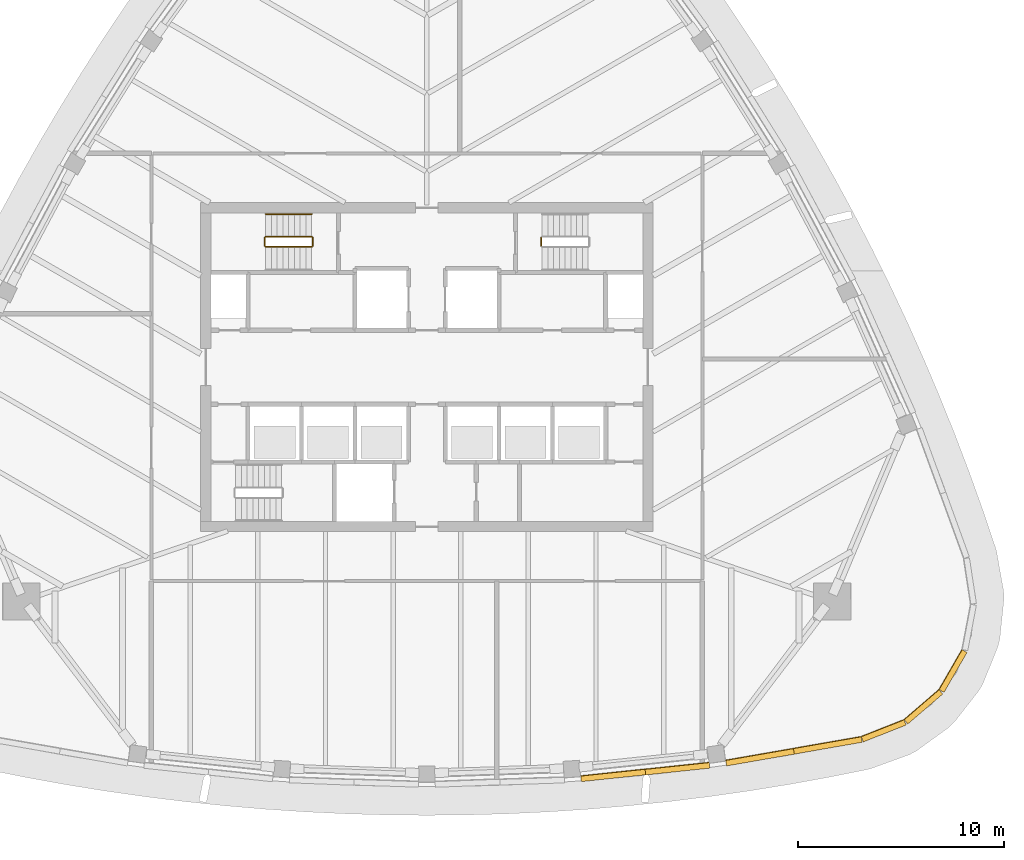
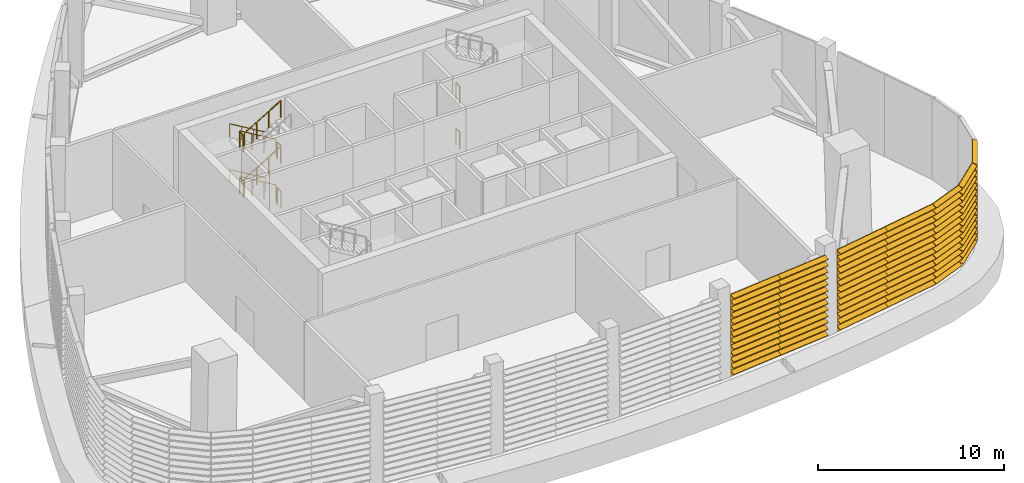
# One storey, part 10 of 15: 12 railings, 7 shading devices.
"""IFC4 building model written with IfcOpenShell, lengths in metres."""

from ifc_helpers import new_model, si_unit, direction, frame, origin, origin_2d, place, context, subcontext, project, spatial, polyline, circle, outline, extrude, material, type_object, element, save


model = new_model("IFC4")

# Units and contexts
model_context = context("Model", 3, precision=1e-05, world=origin(), true_north=direction((0.0, 1.0)))
body_context = subcontext(model_context, "Body", "Model", "MODEL_VIEW")
ifc_project = project(units=[si_unit("LENGTHUNIT", "METRE"), si_unit("AREAUNIT", "SQUARE_METRE"), si_unit("VOLUMEUNIT", "CUBIC_METRE"), si_unit("PLANEANGLEUNIT", "RADIAN"), si_unit("MASSUNIT", "GRAM", prefix="KILO")], contexts=[model_context])

# Site, building, storey
site_placement = place(None, origin())
site = spatial("IfcSite", under=ifc_project, at=site_placement, CompositionType="ELEMENT")
building_placement = place(site_placement, origin())
building = spatial("IfcBuilding", under=site, at=building_placement, Name="Sierra Prisma Convention Tower", CompositionType="ELEMENT")
storey_placement = place(building_placement, frame((0.0, 0.0, 324.39990234375)))
storey = spatial("IfcBuildingStorey", under=building, at=storey_placement, Name="L74", CompositionType="ELEMENT", Elevation=324.39990234375)

# Railings
ifc_material_1 = material(Name="Stainless steel", Category="steel")
railing_type_1 = type_object("IfcRailingType", Name="Exit stair handrail", PredefinedType="HANDRAIL", material=ifc_material_1)
for number, where, name in (
    (1, (-5.60009765625, 7.449951171875, 0.166748046875), "L74 S3 stair handrail 1"),
    (2, (-5.60009765625, 7.449951171875, 3.166748046875), "L74 S3 stair handrail 3"),
):
    element("IfcRailing", number, at=place(storey_placement, frame(where)), inside=storey, type_object=railing_type_1, Name=name, PredefinedType="HANDRAIL", context=body_context, shape_type="SweptSolid", body=[
        extrude(circle(Radius=0.02392578125, at=origin_2d()), frame((0.0, 0.0, 0.8759765625), z_axis=(-0.859305625298, 0.0, 0.511462454469), x_axis=(0.0, -1.0, 0.0)), (0.0, 0.0, 1.0), 2.606689453125),
        extrude(circle(Radius=0.02099609375, at=origin_2d()), origin(), (0.0, 0.0, 1.0), 0.851806640625),
        extrude(circle(Radius=0.02099609375, at=origin_2d()), frame((-0.74658203125, 0.0, 0.4443359375)), (0.0, 0.0, 1.0), 0.851806640625),
        extrude(circle(Radius=0.02099609375, at=origin_2d()), frame((-1.493408203125, 0.0, 0.888916015625)), (0.0, 0.0, 1.0), 0.851806640625),
        extrude(circle(Radius=0.02099609375, at=origin_2d()), frame((-2.239990234375, 0.0, 1.333251953125)), (0.0, 0.0, 1.0), 0.851806640625),
    ])

# Shading devices
ifc_material_2 = material(Name="Aluminium 6063-T6 bronze anodised", Category="aluminium")
shading_device_type = type_object("IfcShadingDeviceType", Name="Louvre bay bronze", PredefinedType="USERDEFINED", material=ifc_material_2)
shading_device_1_placement = place(storey_placement, frame((7.480712890625, -19.85498046875, 0.0), z_axis=(-0.994453485759, -0.105177301079, 0.0), x_axis=(0.0, 0.0, 1.0)))
element("IfcShadingDevice", 3, at=shading_device_1_placement, inside=storey, type_object=shading_device_type, Name="Louvre L74 S5.1", ObjectType="LOUVRE", PredefinedType="USERDEFINED", context=body_context, shape_type="SweptSolid", body=[
    extrude(outline(polyline([(0.0, 0.0), (5.400146484375, 0.0), (5.400146484375, -0.029953767132957766), (5.380126953125, -0.029953767132957766), (5.260009765625, -0.29997188821662857), (5.22998046875, -0.29997188821662857), (5.35009765625, -0.029953767132957766), (4.984619140625, -0.029953767132957766), (4.964599609375, -0.029953767132957766), (4.8447265625, -0.29997188821662857), (4.814697265625, -0.29997188821662857), (4.934814453125, -0.029953767132957766), (4.5693359375, -0.029953767132957766), (4.54931640625, -0.029953767132957766), (4.429443359375, -0.29997188821662857), (4.3994140625, -0.29997188821662857), (4.519287109375, -0.029953767132957766), (4.154052734375, -0.029953767132957766), (4.134033203125, -0.029953767132957766), (4.013916015625, -0.29997188821662857), (3.98388671875, -0.29997188821662857), (4.10400390625, -0.029953767132957766), (3.738525390625, -0.029953767132957766), (3.718505859375, -0.029953767132957766), (3.5986328125, -0.29997188821662857), (3.568603515625, -0.29997188821662857), (3.6884765625, -0.029953767132957766), (3.3232421875, -0.029953767132957766), (3.30322265625, -0.029953767132957766), (3.18310546875, -0.29997188821662857), (3.153076171875, -0.29997188821662857), (3.273193359375, -0.029953767132957766), (2.90771484375, -0.029953767132957766), (2.8876953125, -0.029953767132957766), (2.767822265625, -0.29997188821662857), (2.73779296875, -0.29997188821662857), (2.85791015625, -0.029953767132957766), (2.492431640625, -0.029953767132957766), (2.472412109375, -0.029953767132957766), (2.352294921875, -0.29997188821662857), (2.322509765625, -0.29997188821662857), (2.4423828125, -0.029953767132957766), (2.076904296875, -0.029953767132957766), (2.05712890625, -0.029953767132957766), (1.93701171875, -0.29997188821662857), (1.906982421875, -0.29997188821662857), (2.027099609375, -0.029953767132957766), (1.66162109375, -0.029953767132957766), (1.6416015625, -0.029953767132957766), (1.521728515625, -0.29997188821662857), (1.49169921875, -0.29997188821662857), (1.611572265625, -0.029953767132957766), (1.246337890625, -0.029953767132957766), (1.226318359375, -0.029953767132957766), (1.106201171875, -0.29997188821662857), (1.076171875, -0.29997188821662857), (1.1962890625, -0.029953767132957766), (0.830810546875, -0.029953767132957766), (0.810791015625, -0.029953767132957766), (0.69091796875, -0.29997188821662857), (0.660888671875, -0.29997188821662857), (0.78076171875, -0.029953767132957766), (0.41552734375, -0.029953767132957766), (0.3955078125, -0.029953767132957766), (0.275390625, -0.29997188821662857), (0.245361328125, -0.29997188821662857), (0.365478515625, -0.029953767132957766), (0.0, -0.029953767132957766), (0.0, 0.0)])), origin(), (0.0, 0.0, -1.0), 3.1435546875),
])
shading_device_2_placement = place(storey_placement, frame((10.607421875, -19.529541015625, 0.0), z_axis=(-0.994453485759, -0.105177301079, 0.0), x_axis=(0.0, 0.0, 1.0)))
element("IfcShadingDevice", 4, at=shading_device_2_placement, inside=storey, type_object=shading_device_type, Name="Louvre L74 S5.2", ObjectType="LOUVRE", PredefinedType="USERDEFINED", context=body_context, shape_type="SweptSolid", body=[
    extrude(outline(polyline([(0.0, 0.0), (5.400146484375, 0.0), (5.400146484375, -0.029953767132957766), (5.380126953125, -0.029953767132957766), (5.260009765625, -0.29997188821662857), (5.22998046875, -0.29997188821662857), (5.35009765625, -0.029953767132957766), (4.984619140625, -0.029953767132957766), (4.964599609375, -0.029953767132957766), (4.8447265625, -0.29997188821662857), (4.814697265625, -0.29997188821662857), (4.934814453125, -0.029953767132957766), (4.5693359375, -0.029953767132957766), (4.54931640625, -0.029953767132957766), (4.429443359375, -0.29997188821662857), (4.3994140625, -0.29997188821662857), (4.519287109375, -0.029953767132957766), (4.154052734375, -0.029953767132957766), (4.134033203125, -0.029953767132957766), (4.013916015625, -0.29997188821662857), (3.98388671875, -0.29997188821662857), (4.10400390625, -0.029953767132957766), (3.738525390625, -0.029953767132957766), (3.718505859375, -0.029953767132957766), (3.5986328125, -0.29997188821662857), (3.568603515625, -0.29997188821662857), (3.6884765625, -0.029953767132957766), (3.3232421875, -0.029953767132957766), (3.30322265625, -0.029953767132957766), (3.18310546875, -0.29997188821662857), (3.153076171875, -0.29997188821662857), (3.273193359375, -0.029953767132957766), (2.90771484375, -0.029953767132957766), (2.8876953125, -0.029953767132957766), (2.767822265625, -0.29997188821662857), (2.73779296875, -0.29997188821662857), (2.85791015625, -0.029953767132957766), (2.492431640625, -0.029953767132957766), (2.472412109375, -0.029953767132957766), (2.352294921875, -0.29997188821662857), (2.322509765625, -0.29997188821662857), (2.4423828125, -0.029953767132957766), (2.076904296875, -0.029953767132957766), (2.05712890625, -0.029953767132957766), (1.93701171875, -0.29997188821662857), (1.906982421875, -0.29997188821662857), (2.027099609375, -0.029953767132957766), (1.66162109375, -0.029953767132957766), (1.6416015625, -0.029953767132957766), (1.521728515625, -0.29997188821662857), (1.49169921875, -0.29997188821662857), (1.611572265625, -0.029953767132957766), (1.246337890625, -0.029953767132957766), (1.226318359375, -0.029953767132957766), (1.106201171875, -0.29997188821662857), (1.076171875, -0.29997188821662857), (1.1962890625, -0.029953767132957766), (0.830810546875, -0.029953767132957766), (0.810791015625, -0.029953767132957766), (0.69091796875, -0.29997188821662857), (0.660888671875, -0.29997188821662857), (0.78076171875, -0.029953767132957766), (0.41552734375, -0.029953767132957766), (0.3955078125, -0.029953767132957766), (0.275390625, -0.29997188821662857), (0.245361328125, -0.29997188821662857), (0.365478515625, -0.029953767132957766), (0.0, -0.029953767132957766), (0.0, 0.0)])), origin(), (0.0, 0.0, -1.0), 3.1435546875),
])
shading_device_3_placement = place(storey_placement, frame((14.526123046875, -19.09375, 0.0), z_axis=(-0.985221809812, -0.17128334849, 0.0), x_axis=(0.0, 0.0, 1.0)))
element("IfcShadingDevice", 5, at=shading_device_3_placement, inside=storey, type_object=shading_device_type, Name="Louvre L74 S6.1", ObjectType="LOUVRE", PredefinedType="USERDEFINED", context=body_context, shape_type="SweptSolid", body=[
    extrude(outline(polyline([(0.0, 0.0), (5.400146484375, 0.0), (5.400146484375, -0.029982614576560637), (5.380126953125, -0.029982614576560637), (5.260009765625, -0.30010849565777015), (5.22998046875, -0.30010849565777015), (5.35009765625, -0.029982614576560637), (4.984619140625, -0.029982614576560637), (4.964599609375, -0.029982614576560637), (4.8447265625, -0.30010849565777015), (4.814697265625, -0.30010849565777015), (4.934814453125, -0.029982614576560637), (4.5693359375, -0.029982614576560637), (4.54931640625, -0.029982614576560637), (4.429443359375, -0.30010849565777015), (4.3994140625, -0.30010849565777015), (4.519287109375, -0.029982614576560637), (4.154052734375, -0.029982614576560637), (4.134033203125, -0.029982614576560637), (4.013916015625, -0.30010849565777015), (3.98388671875, -0.30010849565777015), (4.10400390625, -0.029982614576560637), (3.738525390625, -0.029982614576560637), (3.718505859375, -0.029982614576560637), (3.5986328125, -0.30010849565777015), (3.568603515625, -0.30010849565777015), (3.6884765625, -0.029982614576560637), (3.3232421875, -0.029982614576560637), (3.30322265625, -0.029982614576560637), (3.18310546875, -0.30010849565777015), (3.153076171875, -0.30010849565777015), (3.273193359375, -0.029982614576560637), (2.90771484375, -0.029982614576560637), (2.8876953125, -0.029982614576560637), (2.767822265625, -0.30010849565777015), (2.73779296875, -0.30010849565777015), (2.85791015625, -0.029982614576560637), (2.492431640625, -0.029982614576560637), (2.472412109375, -0.029982614576560637), (2.352294921875, -0.30010849565777015), (2.322509765625, -0.30010849565777015), (2.4423828125, -0.029982614576560637), (2.076904296875, -0.029982614576560637), (2.05712890625, -0.029982614576560637), (1.93701171875, -0.30010849565777015), (1.906982421875, -0.30010849565777015), (2.027099609375, -0.029982614576560637), (1.66162109375, -0.029982614576560637), (1.6416015625, -0.029982614576560637), (1.521728515625, -0.30010849565777015), (1.49169921875, -0.30010849565777015), (1.611572265625, -0.029982614576560637), (1.246337890625, -0.029982614576560637), (1.226318359375, -0.029982614576560637), (1.106201171875, -0.30010849565777015), (1.076171875, -0.30010849565777015), (1.1962890625, -0.029982614576560637), (0.830810546875, -0.029982614576560637), (0.810791015625, -0.029982614576560637), (0.69091796875, -0.30010849565777015), (0.660888671875, -0.30010849565777015), (0.78076171875, -0.029982614576560637), (0.41552734375, -0.029982614576560637), (0.3955078125, -0.029982614576560637), (0.275390625, -0.30010849565777015), (0.245361328125, -0.30010849565777015), (0.365478515625, -0.029982614576560637), (0.0, -0.029982614576560637), (0.0, 0.0)])), origin(), (0.0, 0.0, -1.0), 3.343505859375),
])
shading_device_4_placement = place(storey_placement, frame((17.81982421875, -18.5185546875, 0.0), z_axis=(-0.98516163122, -0.171629136139, 0.0), x_axis=(0.0, 0.0, 1.0)))
element("IfcShadingDevice", 6, at=shading_device_4_placement, inside=storey, type_object=shading_device_type, Name="Louvre L74 S6.2", ObjectType="LOUVRE", PredefinedType="USERDEFINED", context=body_context, shape_type="SweptSolid", body=[
    extrude(outline(polyline([(0.0, 0.0), (5.400146484375, 0.0), (5.400146484375, -0.029982609676891352), (5.380126953125, -0.029982609676891352), (5.260009765625, -0.30015041803441583), (5.22998046875, -0.30015041803441583), (5.35009765625, -0.029982609676891352), (4.984619140625, -0.029982609676891352), (4.964599609375, -0.029982609676891352), (4.8447265625, -0.30015041803441583), (4.814697265625, -0.30015041803441583), (4.934814453125, -0.029982609676891352), (4.5693359375, -0.029982609676891352), (4.54931640625, -0.029982609676891352), (4.429443359375, -0.30015041803441583), (4.3994140625, -0.30015041803441583), (4.519287109375, -0.029982609676891352), (4.154052734375, -0.029982609676891352), (4.134033203125, -0.029982609676891352), (4.013916015625, -0.30015041803441583), (3.98388671875, -0.30015041803441583), (4.10400390625, -0.029982609676891352), (3.738525390625, -0.029982609676891352), (3.718505859375, -0.029982609676891352), (3.5986328125, -0.30015041803441583), (3.568603515625, -0.30015041803441583), (3.6884765625, -0.029982609676891352), (3.3232421875, -0.029982609676891352), (3.30322265625, -0.029982609676891352), (3.18310546875, -0.30015041803441583), (3.153076171875, -0.30015041803441583), (3.273193359375, -0.029982609676891352), (2.90771484375, -0.029982609676891352), (2.8876953125, -0.029982609676891352), (2.767822265625, -0.30015041803441583), (2.73779296875, -0.30015041803441583), (2.85791015625, -0.029982609676891352), (2.492431640625, -0.029982609676891352), (2.472412109375, -0.029982609676891352), (2.352294921875, -0.30015041803441583), (2.322509765625, -0.30015041803441583), (2.4423828125, -0.029982609676891352), (2.076904296875, -0.029982609676891352), (2.05712890625, -0.029982609676891352), (1.93701171875, -0.30015041803441583), (1.906982421875, -0.30015041803441583), (2.027099609375, -0.029982609676891352), (1.66162109375, -0.029982609676891352), (1.6416015625, -0.029982609676891352), (1.521728515625, -0.30015041803441583), (1.49169921875, -0.30015041803441583), (1.611572265625, -0.029982609676891352), (1.246337890625, -0.029982609676891352), (1.226318359375, -0.029982609676891352), (1.106201171875, -0.30015041803441583), (1.076171875, -0.30015041803441583), (1.1962890625, -0.029982609676891352), (0.830810546875, -0.029982609676891352), (0.810791015625, -0.029982609676891352), (0.69091796875, -0.30015041803441583), (0.660888671875, -0.30015041803441583), (0.78076171875, -0.029982609676891352), (0.41552734375, -0.029982609676891352), (0.3955078125, -0.029982609676891352), (0.275390625, -0.30015041803441583), (0.245361328125, -0.30015041803441583), (0.365478515625, -0.029982609676891352), (0.0, -0.029982609676891352), (0.0, 0.0)])), origin(), (0.0, 0.0, -1.0), 3.343505859375),
])
shading_device_5_placement = place(storey_placement, frame((21.11376953125, -17.943359375, 0.0), z_axis=(-0.930299445746, -0.366800955894, 0.0), x_axis=(0.0, 0.0, 1.0)))
element("IfcShadingDevice", 7, at=shading_device_5_placement, inside=storey, type_object=shading_device_type, Name="Louvre L74 SE1.1", ObjectType="LOUVRE", PredefinedType="USERDEFINED", context=body_context, shape_type="SweptSolid", body=[
    extrude(outline(polyline([(0.0, 0.0), (5.400146484375, 0.0), (5.400146484375, -0.029921918903874488), (5.380126953125, -0.029921918903874488), (5.260009765625, -0.29990056070310955), (5.22998046875, -0.29990056070310955), (5.35009765625, -0.029921918903874488), (4.984619140625, -0.029921918903874488), (4.964599609375, -0.029921918903874488), (4.8447265625, -0.29990056070310955), (4.814697265625, -0.29990056070310955), (4.934814453125, -0.029921918903874488), (4.5693359375, -0.029921918903874488), (4.54931640625, -0.029921918903874488), (4.429443359375, -0.29990056070310955), (4.3994140625, -0.29990056070310955), (4.519287109375, -0.029921918903874488), (4.154052734375, -0.029921918903874488), (4.134033203125, -0.029921918903874488), (4.013916015625, -0.29990056070310955), (3.98388671875, -0.29990056070310955), (4.10400390625, -0.029921918903874488), (3.738525390625, -0.029921918903874488), (3.718505859375, -0.029921918903874488), (3.5986328125, -0.29990056070310955), (3.568603515625, -0.29990056070310955), (3.6884765625, -0.029921918903874488), (3.3232421875, -0.029921918903874488), (3.30322265625, -0.029921918903874488), (3.18310546875, -0.29990056070310955), (3.153076171875, -0.29990056070310955), (3.273193359375, -0.029921918903874488), (2.90771484375, -0.029921918903874488), (2.8876953125, -0.029921918903874488), (2.767822265625, -0.29990056070310955), (2.73779296875, -0.29990056070310955), (2.85791015625, -0.029921918903874488), (2.492431640625, -0.029921918903874488), (2.472412109375, -0.029921918903874488), (2.352294921875, -0.29990056070310955), (2.322509765625, -0.29990056070310955), (2.4423828125, -0.029921918903874488), (2.076904296875, -0.029921918903874488), (2.05712890625, -0.029921918903874488), (1.93701171875, -0.29990056070310955), (1.906982421875, -0.29990056070310955), (2.027099609375, -0.029921918903874488), (1.66162109375, -0.029921918903874488), (1.6416015625, -0.029921918903874488), (1.521728515625, -0.29990056070310955), (1.49169921875, -0.29990056070310955), (1.611572265625, -0.029921918903874488), (1.246337890625, -0.029921918903874488), (1.226318359375, -0.029921918903874488), (1.106201171875, -0.29990056070310955), (1.076171875, -0.29990056070310955), (1.1962890625, -0.029921918903874488), (0.830810546875, -0.029921918903874488), (0.810791015625, -0.029921918903874488), (0.69091796875, -0.29990056070310955), (0.660888671875, -0.29990056070310955), (0.78076171875, -0.029921918903874488), (0.41552734375, -0.029921918903874488), (0.3955078125, -0.029921918903874488), (0.275390625, -0.29990056070310955), (0.245361328125, -0.29990056070310955), (0.365478515625, -0.029921918903874488), (0.0, -0.029921918903874488), (0.0, 0.0)])), origin(), (0.0, 0.0, -1.0), 2.237548828125),
])
shading_device_6_placement = place(storey_placement, frame((23.1953125, -17.123046875, 0.0), z_axis=(-0.757903644977, -0.652366511196, 0.0), x_axis=(0.0, 0.0, 1.0)))
element("IfcShadingDevice", 8, at=shading_device_6_placement, inside=storey, type_object=shading_device_type, Name="Louvre L74 SE2.1", ObjectType="LOUVRE", PredefinedType="USERDEFINED", context=body_context, shape_type="SweptSolid", body=[
    extrude(outline(polyline([(0.0, 0.0), (5.400146484375, 0.0), (5.400146484375, -0.02994979489222996), (5.380126953125, -0.02994979489222996), (5.260009765625, -0.30000152232741917), (5.22998046875, -0.30000152232741917), (5.35009765625, -0.02994979489222996), (4.984619140625, -0.02994979489222996), (4.964599609375, -0.02994979489222996), (4.8447265625, -0.30000152232741917), (4.814697265625, -0.30000152232741917), (4.934814453125, -0.02994979489222996), (4.5693359375, -0.02994979489222996), (4.54931640625, -0.02994979489222996), (4.429443359375, -0.30000152232741917), (4.3994140625, -0.30000152232741917), (4.519287109375, -0.02994979489222996), (4.154052734375, -0.02994979489222996), (4.134033203125, -0.02994979489222996), (4.013916015625, -0.30000152232741917), (3.98388671875, -0.30000152232741917), (4.10400390625, -0.02994979489222996), (3.738525390625, -0.02994979489222996), (3.718505859375, -0.02994979489222996), (3.5986328125, -0.30000152232741917), (3.568603515625, -0.30000152232741917), (3.6884765625, -0.02994979489222996), (3.3232421875, -0.02994979489222996), (3.30322265625, -0.02994979489222996), (3.18310546875, -0.30000152232741917), (3.153076171875, -0.30000152232741917), (3.273193359375, -0.02994979489222996), (2.90771484375, -0.02994979489222996), (2.8876953125, -0.02994979489222996), (2.767822265625, -0.30000152232741917), (2.73779296875, -0.30000152232741917), (2.85791015625, -0.02994979489222996), (2.492431640625, -0.02994979489222996), (2.472412109375, -0.02994979489222996), (2.352294921875, -0.30000152232741917), (2.322509765625, -0.30000152232741917), (2.4423828125, -0.02994979489222996), (2.076904296875, -0.02994979489222996), (2.05712890625, -0.02994979489222996), (1.93701171875, -0.30000152232741917), (1.906982421875, -0.30000152232741917), (2.027099609375, -0.02994979489222996), (1.66162109375, -0.02994979489222996), (1.6416015625, -0.02994979489222996), (1.521728515625, -0.30000152232741917), (1.49169921875, -0.30000152232741917), (1.611572265625, -0.02994979489222996), (1.246337890625, -0.02994979489222996), (1.226318359375, -0.02994979489222996), (1.106201171875, -0.30000152232741917), (1.076171875, -0.30000152232741917), (1.1962890625, -0.02994979489222996), (0.830810546875, -0.02994979489222996), (0.810791015625, -0.02994979489222996), (0.69091796875, -0.30000152232741917), (0.660888671875, -0.30000152232741917), (0.78076171875, -0.02994979489222996), (0.41552734375, -0.02994979489222996), (0.3955078125, -0.02994979489222996), (0.275390625, -0.30000152232741917), (0.245361328125, -0.30000152232741917), (0.365478515625, -0.02994979489222996), (0.0, -0.02994979489222996), (0.0, 0.0)])), origin(), (0.0, 0.0, -1.0), 2.237548828125),
])
shading_device_7_placement = place(storey_placement, frame((24.890380859375, -15.662353515625, 0.0), z_axis=(-0.499233946895, -0.866467233234, 0.0), x_axis=(0.0, 0.0, 1.0)))
element("IfcShadingDevice", 9, at=shading_device_7_placement, inside=storey, type_object=shading_device_type, Name="Louvre L74 SE3.1", ObjectType="LOUVRE", PredefinedType="USERDEFINED", context=body_context, shape_type="SweptSolid", body=[
    extrude(outline(polyline([(0.0, 0.0), (5.400146484375, 0.0), (5.400146484375, -0.02985810485433736), (5.380126953125, -0.02985810485433736), (5.260009765625, -0.2999147411020928), (5.22998046875, -0.2999147411020928), (5.35009765625, -0.02985810485433736), (4.984619140625, -0.02985810485433736), (4.964599609375, -0.02985810485433736), (4.8447265625, -0.2999147411020928), (4.814697265625, -0.2999147411020928), (4.934814453125, -0.02985810485433736), (4.5693359375, -0.02985810485433736), (4.54931640625, -0.02985810485433736), (4.429443359375, -0.2999147411020928), (4.3994140625, -0.2999147411020928), (4.519287109375, -0.02985810485433736), (4.154052734375, -0.02985810485433736), (4.134033203125, -0.02985810485433736), (4.013916015625, -0.2999147411020928), (3.98388671875, -0.2999147411020928), (4.10400390625, -0.02985810485433736), (3.738525390625, -0.02985810485433736), (3.718505859375, -0.02985810485433736), (3.5986328125, -0.2999147411020928), (3.568603515625, -0.2999147411020928), (3.6884765625, -0.02985810485433736), (3.3232421875, -0.02985810485433736), (3.30322265625, -0.02985810485433736), (3.18310546875, -0.2999147411020928), (3.153076171875, -0.2999147411020928), (3.273193359375, -0.02985810485433736), (2.90771484375, -0.02985810485433736), (2.8876953125, -0.02985810485433736), (2.767822265625, -0.2999147411020928), (2.73779296875, -0.2999147411020928), (2.85791015625, -0.02985810485433736), (2.492431640625, -0.02985810485433736), (2.472412109375, -0.02985810485433736), (2.352294921875, -0.2999147411020928), (2.322509765625, -0.2999147411020928), (2.4423828125, -0.02985810485433736), (2.076904296875, -0.02985810485433736), (2.05712890625, -0.02985810485433736), (1.93701171875, -0.2999147411020928), (1.906982421875, -0.2999147411020928), (2.027099609375, -0.02985810485433736), (1.66162109375, -0.02985810485433736), (1.6416015625, -0.02985810485433736), (1.521728515625, -0.2999147411020928), (1.49169921875, -0.2999147411020928), (1.611572265625, -0.02985810485433736), (1.246337890625, -0.02985810485433736), (1.226318359375, -0.02985810485433736), (1.106201171875, -0.2999147411020928), (1.076171875, -0.2999147411020928), (1.1962890625, -0.02985810485433736), (0.830810546875, -0.02985810485433736), (0.810791015625, -0.02985810485433736), (0.69091796875, -0.2999147411020928), (0.660888671875, -0.2999147411020928), (0.78076171875, -0.02985810485433736), (0.41552734375, -0.02985810485433736), (0.3955078125, -0.02985810485433736), (0.275390625, -0.2999147411020928), (0.245361328125, -0.2999147411020928), (0.365478515625, -0.02985810485433736), (0.0, -0.02985810485433736), (0.0, 0.0)])), origin(), (0.0, 0.0, -1.0), 2.237548828125),
])

# Railings
ifc_material_3 = material(Name="Stainless steel", Category="steel")
railing_type_2 = type_object("IfcRailingType", Name="Stair guard 1100", PredefinedType="GUARDRAIL", material=ifc_material_3)
railing_1_placement = place(storey_placement, frame((-5.60009765625, 6.35009765625, 0.166748046875)))
element("IfcRailing", 10, at=railing_1_placement, inside=storey, type_object=railing_type_2, Name="L74 S3 stair guard 1", PredefinedType="GUARDRAIL", context=body_context, shape_type="SweptSolid", body=[
    extrude(circle(Radius=0.02392578125, at=origin_2d()), frame((0.0, 0.0, 1.076171875), z_axis=(-0.859305625298, 0.0, 0.511462454469), x_axis=(0.0, -1.0, 0.0)), (0.0, 0.0, 1.0), 2.606689453125),
    extrude(circle(Radius=0.02099609375, at=origin_2d()), origin(), (0.0, 0.0, 1.0), 1.052001953125),
    extrude(circle(Radius=0.02099609375, at=origin_2d()), frame((-0.74658203125, 0.0, 0.4443359375)), (0.0, 0.0, 1.0), 1.052001953125),
    extrude(circle(Radius=0.02099609375, at=origin_2d()), frame((-1.493408203125, 0.0, 0.888916015625)), (0.0, 0.0, 1.0), 1.052001953125),
    extrude(circle(Radius=0.02099609375, at=origin_2d()), frame((-2.239990234375, 0.0, 1.333251953125)), (0.0, 0.0, 1.0), 1.052001953125),
])
railing_2_placement = place(storey_placement, frame((-7.889892578125, 6.300048828125, 1.5)))
element("IfcRailing", 11, at=railing_2_placement, inside=storey, type_object=railing_type_2, Name="L74 S3 stair guard 2", PredefinedType="GUARDRAIL", context=body_context, shape_type="SweptSolid", body=[
    extrude(circle(Radius=0.02392578125, at=origin_2d()), frame((0.0, 0.0, 1.076171875), z_axis=(0.0, -1.0, 0.0), x_axis=(1.0, 0.0, 0.0)), (0.0, 0.0, 1.0), 0.400146484375),
    extrude(circle(Radius=0.02099609375, at=origin_2d()), origin(), (0.0, 0.0, 1.0), 1.052001953125),
    extrude(circle(Radius=0.02099609375, at=origin_2d()), frame((0.0, -0.400146484375, 0.0)), (0.0, 0.0, 1.0), 1.052001953125),
])
railing_3_placement = place(storey_placement, frame((-7.840087890625, 5.85009765625, 1.666748046875)))
element("IfcRailing", 12, at=railing_3_placement, inside=storey, type_object=railing_type_2, Name="L74 S3 stair guard 3", PredefinedType="GUARDRAIL", context=body_context, shape_type="SweptSolid", body=[
    extrude(circle(Radius=0.02392578125, at=origin_2d()), frame((0.0, 0.0, 1.076171875), z_axis=(0.859305625298, 0.0, 0.511462454469), x_axis=(0.0, 1.0, 0.0)), (0.0, 0.0, 1.0), 2.606689453125),
    extrude(circle(Radius=0.02099609375, at=origin_2d()), origin(), (0.0, 0.0, 1.0), 1.052001953125),
    extrude(circle(Radius=0.02099609375, at=origin_2d()), frame((0.74658203125, 0.0, 0.4443359375)), (0.0, 0.0, 1.0), 1.052001953125),
    extrude(circle(Radius=0.02099609375, at=origin_2d()), frame((1.493408203125, 0.0, 0.888916015625)), (0.0, 0.0, 1.0), 1.052001953125),
    extrude(circle(Radius=0.02099609375, at=origin_2d()), frame((2.239990234375, 0.0, 1.333251953125)), (0.0, 0.0, 1.0), 1.052001953125),
])
railing_4_placement = place(storey_placement, frame((-5.550048828125, 6.300048828125, 3.0)))
element("IfcRailing", 13, at=railing_4_placement, inside=storey, type_object=railing_type_2, Name="L74 S3 stair guard 4", PredefinedType="GUARDRAIL", context=body_context, shape_type="SweptSolid", body=[
    extrude(circle(Radius=0.02392578125, at=origin_2d()), frame((0.0, 0.0, 1.076171875), z_axis=(0.0, -1.0, 0.0), x_axis=(1.0, 0.0, 0.0)), (0.0, 0.0, 1.0), 0.400146484375),
    extrude(circle(Radius=0.02099609375, at=origin_2d()), origin(), (0.0, 0.0, 1.0), 1.052001953125),
    extrude(circle(Radius=0.02099609375, at=origin_2d()), frame((0.0, -0.400146484375, 0.0)), (0.0, 0.0, 1.0), 1.052001953125),
])
railing_5_placement = place(storey_placement, frame((-5.60009765625, 6.35009765625, 3.166748046875)))
element("IfcRailing", 14, at=railing_5_placement, inside=storey, type_object=railing_type_2, Name="L74 S3 stair guard 5", PredefinedType="GUARDRAIL", context=body_context, shape_type="SweptSolid", body=[
    extrude(circle(Radius=0.02392578125, at=origin_2d()), frame((0.0, 0.0, 1.076171875), z_axis=(-0.859305625298, 0.0, 0.511462454469), x_axis=(0.0, -1.0, 0.0)), (0.0, 0.0, 1.0), 2.606689453125),
    extrude(circle(Radius=0.02099609375, at=origin_2d()), origin(), (0.0, 0.0, 1.0), 1.052001953125),
    extrude(circle(Radius=0.02099609375, at=origin_2d()), frame((-0.74658203125, 0.0, 0.4443359375)), (0.0, 0.0, 1.0), 1.052001953125),
    extrude(circle(Radius=0.02099609375, at=origin_2d()), frame((-1.493408203125, 0.0, 0.888916015625)), (0.0, 0.0, 1.0), 1.052001953125),
    extrude(circle(Radius=0.02099609375, at=origin_2d()), frame((-2.239990234375, 0.0, 1.333251953125)), (0.0, 0.0, 1.0), 1.052001953125),
])
railing_6_placement = place(storey_placement, frame((-7.889892578125, 6.300048828125, 4.5)))
element("IfcRailing", 15, at=railing_6_placement, inside=storey, type_object=railing_type_2, Name="L74 S3 stair guard 6", PredefinedType="GUARDRAIL", context=body_context, shape_type="SweptSolid", body=[
    extrude(circle(Radius=0.02392578125, at=origin_2d()), frame((0.0, 0.0, 1.076171875), z_axis=(0.0, -1.0, 0.0), x_axis=(1.0, 0.0, 0.0)), (0.0, 0.0, 1.0), 0.400146484375),
    extrude(circle(Radius=0.02099609375, at=origin_2d()), origin(), (0.0, 0.0, 1.0), 1.052001953125),
    extrude(circle(Radius=0.02099609375, at=origin_2d()), frame((0.0, -0.400146484375, 0.0)), (0.0, 0.0, 1.0), 1.052001953125),
])
railing_7_placement = place(storey_placement, frame((-7.840087890625, 5.85009765625, 4.666748046875)))
element("IfcRailing", 16, at=railing_7_placement, inside=storey, type_object=railing_type_2, Name="L74 S3 stair guard 7", PredefinedType="GUARDRAIL", context=body_context, shape_type="SweptSolid", body=[
    extrude(circle(Radius=0.02392578125, at=origin_2d()), frame((0.0, 0.0, 1.076171875), z_axis=(0.859305625298, 0.0, 0.511462454469), x_axis=(0.0, 1.0, 0.0)), (0.0, 0.0, 1.0), 2.606689453125),
    extrude(circle(Radius=0.02099609375, at=origin_2d()), origin(), (0.0, 0.0, 1.0), 1.052001953125),
    extrude(circle(Radius=0.02099609375, at=origin_2d()), frame((0.74658203125, 0.0, 0.4443359375)), (0.0, 0.0, 1.0), 1.052001953125),
    extrude(circle(Radius=0.02099609375, at=origin_2d()), frame((1.493408203125, 0.0, 0.888916015625)), (0.0, 0.0, 1.0), 1.052001953125),
    extrude(circle(Radius=0.02099609375, at=origin_2d()), frame((2.239990234375, 0.0, 1.333251953125)), (0.0, 0.0, 1.0), 1.052001953125),
])
railing_8_placement = place(storey_placement, frame((-5.550048828125, 6.300048828125, 0.0)))
element("IfcRailing", 17, at=railing_8_placement, inside=storey, type_object=railing_type_2, Name="L74 S3 stair guard 8", PredefinedType="GUARDRAIL", context=body_context, shape_type="SweptSolid", body=[
    extrude(circle(Radius=0.02392578125, at=origin_2d()), frame((0.0, 0.0, 1.076171875), z_axis=(0.0, -1.0, 0.0), x_axis=(1.0, 0.0, 0.0)), (0.0, 0.0, 1.0), 0.400146484375),
    extrude(circle(Radius=0.02099609375, at=origin_2d()), origin(), (0.0, 0.0, 1.0), 1.052001953125),
    extrude(circle(Radius=0.02099609375, at=origin_2d()), frame((0.0, -0.400146484375, 0.0)), (0.0, 0.0, 1.0), 1.052001953125),
])
for number, where, name in (
    (18, (5.550048828125, 5.89990234375, 3.0), "L74 S4 stair guard 4"),
    (19, (5.550048828125, 5.89990234375, 0.0), "L74 S4 stair guard 8"),
):
    element("IfcRailing", number, at=place(storey_placement, frame(where)), inside=storey, type_object=railing_type_2, Name=name, PredefinedType="GUARDRAIL", context=body_context, shape_type="SweptSolid", body=[
        extrude(circle(Radius=0.02392578125, at=origin_2d()), frame((0.0, 0.0, 1.076171875), z_axis=(0.0, 1.0, 0.0), x_axis=(-1.0, 0.0, 0.0)), (0.0, 0.0, 1.0), 0.400146484375),
        extrude(circle(Radius=0.02099609375, at=origin_2d()), origin(), (0.0, 0.0, 1.0), 1.052001953125),
        extrude(circle(Radius=0.02099609375, at=origin_2d()), frame((0.0, 0.400146484375, 0.0)), (0.0, 0.0, 1.0), 1.052001953125),
    ])

save(model, "model.ifc")
